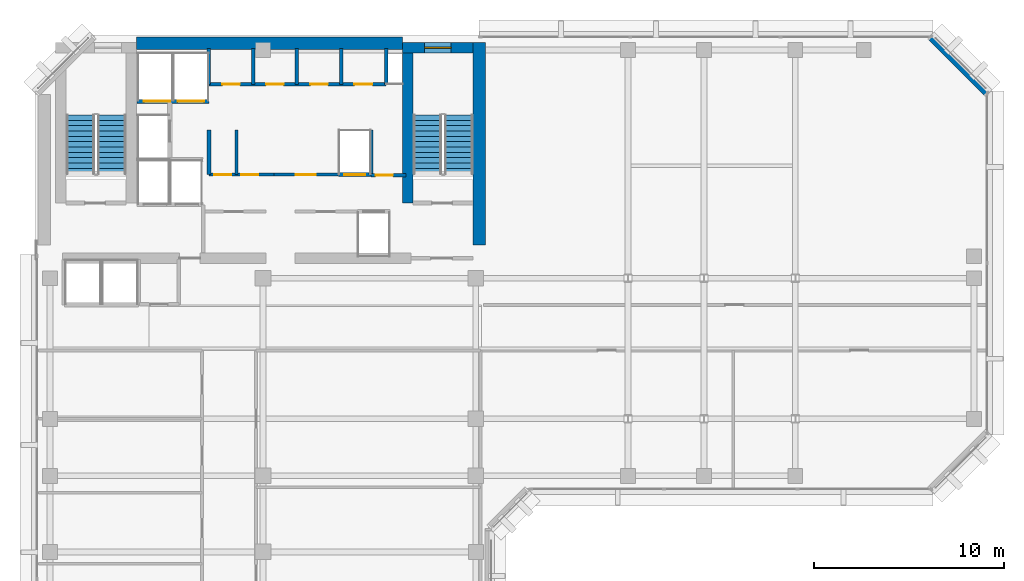
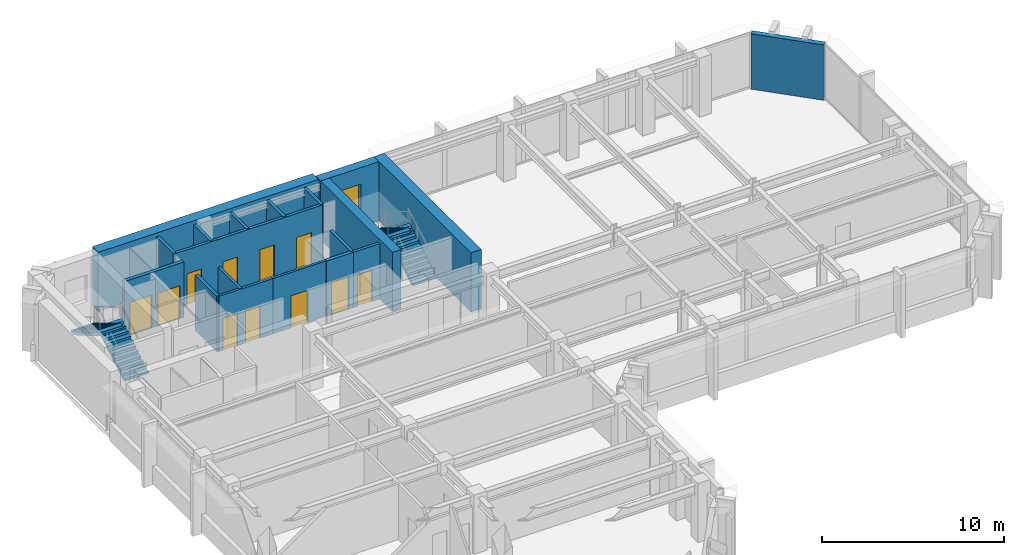
# One storey, part 8 of 12: 19 walls, 11 doors, 4 stair flights, 1 window, 12 openings, 2 elements without a shape of their own.
"""IFC4 building model written with IfcOpenShell, lengths in metres."""

from ifc_helpers import new_model, si_unit, direction, frame, frame_2d, origin, place, context, subcontext, project, spatial, polyline, rectangle, outline, extrude, material, layer, layer_set, type_object, element, fill, aggregate, save


model = new_model("IFC4")

# Units and contexts
model_context = context("Model", 3, precision=1e-05, world=origin(), true_north=direction((0.0, 1.0)))
body_context = subcontext(model_context, "Body", "Model", "MODEL_VIEW")
ifc_project = project(units=[si_unit("LENGTHUNIT", "METRE"), si_unit("AREAUNIT", "SQUARE_METRE"), si_unit("VOLUMEUNIT", "CUBIC_METRE"), si_unit("PLANEANGLEUNIT", "RADIAN"), si_unit("MASSUNIT", "GRAM", prefix="KILO")], contexts=[model_context])

# Site, building, storey
site_placement = place(None, origin())
site = spatial("IfcSite", under=ifc_project, at=site_placement, CompositionType="ELEMENT")
building_placement = place(site_placement, origin())
building = spatial("IfcBuilding", under=site, at=building_placement, Name="Kefirva Bronze Tower", CompositionType="ELEMENT")
storey_placement = place(building_placement, frame((0.0, 0.0, 264.330078125)))
storey = spatial("IfcBuildingStorey", under=building, at=storey_placement, Name="L64", CompositionType="ELEMENT", Elevation=264.330078125)

# Wall, opening, door
ifc_material_1 = material(Name="Gypsum acoustic partition")
ifc_layer_1 = layer(ifc_material_1, 0.14990234375, Name="Gypsum acoustic partition")
ifc_layer_set_1 = layer_set([ifc_layer_1], Name="Gypsum acoustic partition")
wall_type_1 = type_object("IfcWallType", Name="Executive Suite Partition 150mm", PredefinedType="PARTITIONING", material=ifc_layer_set_1)
wall_1_placement = place(storey_placement, frame((12.580078125, 38.64990234375, 0.0), z_axis=(0.0, 0.0, 1.0), x_axis=(1.0, 0.0, 0.0)))
wall_1 = element("IfcWall", 1, at=wall_1_placement, inside=storey, type_object=wall_type_1, Name="L64 Partition W-L64-RECMP2", PredefinedType="PARTITIONING", context=body_context, shape_type="SweptSolid", body=[
    extrude(rectangle(XDim=3.3798828125, YDim=0.14990234375, at=frame_2d((1.68994140625, 0.0))), origin(), (0.0, 0.0, 1.0), 3.7099609375),
])
opening_1_placement = place(wall_1_placement, frame((2.199951171875, 0.0, 0.0), z_axis=(0.0, 0.0, 1.0), x_axis=(-1.0, 0.0, 0.0)))
opening_1 = element("IfcOpeningElement", 2, at=opening_1_placement, cuts=wall_1, Name="Opening L64-D-RECMP2", PredefinedType="OPENING", context=body_context, shape_type="SweptSolid", body=[
    extrude(rectangle(XDim=1.050048828125, YDim=2.14990234375, at=frame_2d((0.52490234375, 1.074951171875))), frame((0.0, 0.0849609375, 0.0), z_axis=(0.0, -1.0, 0.0), x_axis=(1.0, 0.0, 0.0)), (0.0, 0.0, 1.0), 0.169921875),
])
ifc_material_2 = material(Name="Acoustic hardwood oak", Category="wood")
door_type_1 = type_object("IfcDoorType", Name="Executive & Boardroom Door 1050x2150", OperationType="NOTDEFINED", PredefinedType="DOOR", material=ifc_material_2)
door_1_placement = place(opening_1_placement, origin())
door_1 = element("IfcDoor", 3, at=door_1_placement, inside=storey, type_object=door_type_1, Name="Door L64-D-RECMP2", OperationType="SINGLE_SWING_RIGHT", OverallHeight=2.14990234375, OverallWidth=1.050048828125, PredefinedType="DOOR", context=body_context, shape_type="SweptSolid", body=[
    extrude(rectangle(XDim=1.050048828125, YDim=2.14990234375, at=frame_2d((0.52490234375, 1.074951171875))), frame((0.0, 0.02490234375, 0.0), z_axis=(0.0, -1.0, 0.0), x_axis=(1.0, 0.0, 0.0)), (0.0, 0.0, 1.0), 0.050048828125),
])
fill(opening_1, door_1)

# Wall, openings, doors
ifc_material_3 = material(Name="Gypsum fireboard shaftwall")
ifc_layer_2 = layer(ifc_material_3, 0.219970703125, Name="Gypsum fireboard shaftwall")
ifc_layer_set_2 = layer_set([ifc_layer_2], Name="Gypsum fireboard shaftwall")
wall_type_2 = type_object("IfcWallType", Name="Fire-Rated Shaft Enclosure Wall 220mm", PredefinedType="PARTITIONING", material=ifc_layer_set_2)
wall_2_placement = place(storey_placement, frame((5.3798828125, 42.5, 0.0), z_axis=(0.0, 0.0, 1.0), x_axis=(1.0, 0.0, 0.0)))
wall_2 = element("IfcWall", 4, at=wall_2_placement, inside=storey, type_object=wall_type_2, Name="L64 Partition W-L64-SVS", PredefinedType="PARTITIONING", context=body_context, shape_type="SweptSolid", body=[
    extrude(rectangle(XDim=3.77001953125, YDim=0.219970703125, at=frame_2d((1.885009765625, 0.0))), origin(), (0.0, 0.0, 1.0), 3.7099609375),
])
opening_2_placement = place(wall_2_placement, frame((1.75, 0.0, 0.0), z_axis=(0.0, 0.0, 1.0), x_axis=(-1.0, 0.0, 0.0)))
opening_2 = element("IfcOpeningElement", 5, at=opening_2_placement, cuts=wall_2, Name="Opening L64-LD-SV1", PredefinedType="OPENING", context=body_context, shape_type="SweptSolid", body=[
    extrude(rectangle(XDim=1.39990234375, YDim=2.199951171875, at=frame_2d((0.699951171875, 1.10009765625))), frame((0.0, 0.1201171875, 0.0), z_axis=(0.0, -1.0, 0.0), x_axis=(1.0, 0.0, 0.0)), (0.0, 0.0, 1.0), 0.239990234375),
])
opening_3_placement = place(wall_2_placement, frame((3.52978515625, 0.0, 0.0), z_axis=(0.0, 0.0, 1.0), x_axis=(-1.0, 0.0, 0.0)))
opening_3 = element("IfcOpeningElement", 6, at=opening_3_placement, cuts=wall_2, Name="Opening L64-LD-SV2", PredefinedType="OPENING", context=body_context, shape_type="SweptSolid", body=[
    extrude(rectangle(XDim=1.39990234375, YDim=2.199951171875, at=frame_2d((0.699951171875, 1.10009765625))), frame((0.0, 0.1201171875, 0.0), z_axis=(0.0, -1.0, 0.0), x_axis=(1.0, 0.0, 0.0)), (0.0, 0.0, 1.0), 0.239990234375),
])
ifc_material_4 = material(Name="Stainless steel 316", Category="steel")
door_type_2 = type_object("IfcDoorType", Name="Goods Lift Bi-Parting Sliding Door 1400x2200", OperationType="SLIDING_TO_LEFT", PredefinedType="DOOR", material=ifc_material_4)
door_2_placement = place(opening_2_placement, origin())
door_2 = element("IfcDoor", 7, at=door_2_placement, inside=storey, type_object=door_type_2, Name="Door L64-LD-SV1", OperationType="SLIDING_TO_LEFT", OverallHeight=2.199951171875, OverallWidth=1.39990234375, PredefinedType="DOOR", context=body_context, shape_type="SweptSolid", body=[
    extrude(rectangle(XDim=1.39990234375, YDim=2.199951171875, at=frame_2d((0.699951171875, 1.10009765625))), frame((0.0, 0.02490234375, 0.0), z_axis=(0.0, -1.0, 0.0), x_axis=(1.0, 0.0, 0.0)), (0.0, 0.0, 1.0), 0.050048828125),
])
fill(opening_2, door_2)
door_3_placement = place(opening_3_placement, origin())
door_3 = element("IfcDoor", 8, at=door_3_placement, inside=storey, type_object=door_type_2, Name="Door L64-LD-SV2", OperationType="SLIDING_TO_LEFT", OverallHeight=2.199951171875, OverallWidth=1.39990234375, PredefinedType="DOOR", context=body_context, shape_type="SweptSolid", body=[
    extrude(rectangle(XDim=1.39990234375, YDim=2.199951171875, at=frame_2d((0.699951171875, 1.10009765625))), frame((0.0, 0.02490234375, 0.0), z_axis=(0.0, -1.0, 0.0), x_axis=(1.0, 0.0, 0.0)), (0.0, 0.0, 1.0), 0.050048828125),
])
fill(opening_3, door_3)

# Walls
for number, where, z_axis, x_axis, name in (
    (9, (9.159912109375, 38.64990234375, 0.0), (0.0, 0.0, 1.0), (0.0, 1.0, 0.0), "L64 Partition W-L64-LP3W"),
    (10, (17.679931640625, 38.64990234375, 0.0), (0.0, 0.0, 1.0), (0.0, 1.0, 0.0), "L64 Partition W-L64-HP2E"),
):
    element("IfcWall", number, at=place(storey_placement, frame(where, z_axis=z_axis, x_axis=x_axis)), inside=storey, type_object=wall_type_2, Name=name, PredefinedType="PARTITIONING", context=body_context, shape_type="SweptSolid", body=[
        extrude(rectangle(XDim=2.35009765625, YDim=0.199951171875, at=frame_2d((1.175048828125, 0.0))), origin(), (0.0, 0.0, 1.0), 3.7099609375),
    ])

# Wall, opening, door
wall_3_placement = place(storey_placement, frame((15.97998046875, 38.64990234375, 0.0), z_axis=(0.0, 0.0, 1.0), x_axis=(1.0, 0.0, 0.0)))
wall_3 = element("IfcWall", 11, at=wall_3_placement, inside=storey, type_object=wall_type_2, Name="L64 Partition W-L64-HPN", PredefinedType="PARTITIONING", context=body_context, shape_type="SweptSolid", body=[
    extrude(rectangle(XDim=1.719970703125, YDim=0.219970703125, at=frame_2d((0.85986328125, 0.0))), origin(), (0.0, 0.0, 1.0), 3.7099609375),
])
opening_4_placement = place(wall_3_placement, frame((0.300048828125, 0.0, 0.0)))
opening_4 = element("IfcOpeningElement", 12, at=opening_4_placement, cuts=wall_3, Name="Opening L64-LD-HP2", PredefinedType="OPENING", context=body_context, shape_type="SweptSolid", body=[
    extrude(rectangle(XDim=1.10009765625, YDim=2.199951171875, at=frame_2d((0.550048828125, 1.10009765625))), frame((0.0, 0.1201171875, 0.0), z_axis=(0.0, -1.0, 0.0), x_axis=(1.0, 0.0, 0.0)), (0.0, 0.0, 1.0), 0.239990234375),
])
door_type_3 = type_object("IfcDoorType", Name="Passenger Lift Sliding Landing Door 1100x2200", OperationType="SLIDING_TO_LEFT", PredefinedType="DOOR", material=ifc_material_4)
door_4_placement = place(opening_4_placement, origin())
door_4 = element("IfcDoor", 13, at=door_4_placement, inside=storey, type_object=door_type_3, Name="Door L64-LD-HP2", OperationType="SLIDING_TO_LEFT", OverallHeight=2.199951171875, OverallWidth=1.10009765625, PredefinedType="DOOR", context=body_context, shape_type="SweptSolid", body=[
    extrude(rectangle(XDim=1.10009765625, YDim=2.199951171875, at=frame_2d((0.550048828125, 1.10009765625))), frame((0.0, 0.02490234375, 0.0), z_axis=(0.0, -1.0, 0.0), x_axis=(1.0, 0.0, 0.0)), (0.0, 0.0, 1.0), 0.050048828125),
])
fill(opening_4, door_4)

ifc_material_5 = material(Name="Gypsum fireboard barrier")
ifc_layer_3 = layer(ifc_material_5, 0.199951171875, Name="Gypsum fireboard barrier")
ifc_layer_set_3 = layer_set([ifc_layer_3], Name="Gypsum fireboard barrier")
wall_type_3 = type_object("IfcWallType", Name="Firefighting Lobby Barrier Wall 200mm", PredefinedType="PARTITIONING", material=ifc_layer_set_3)
wall_4_placement = place(storey_placement, frame((17.679931640625, 38.6201171875, 0.0), z_axis=(0.0, 0.0, 1.0), x_axis=(1.0, 0.0, 0.0)))
wall_4 = element("IfcWall", 14, at=wall_4_placement, inside=storey, type_object=wall_type_3, Name="L64 Partition W-L64-CPASS", PredefinedType="PARTITIONING", context=body_context, shape_type="SweptSolid", body=[
    extrude(rectangle(XDim=1.840087890625, YDim=0.179931640625, at=frame_2d((0.919921875, 0.0))), origin(), (0.0, 0.0, 1.0), 3.7099609375),
])
opening_5_placement = place(wall_4_placement, frame((0.239990234375, 0.0, 0.0)))
opening_5 = element("IfcOpeningElement", 15, at=opening_5_placement, cuts=wall_4, Name="Opening L64-D-CPAS", PredefinedType="OPENING", context=body_context, shape_type="SweptSolid", body=[
    extrude(rectangle(XDim=0.919921875, YDim=2.10009765625, at=frame_2d((0.4599609375, 1.050048828125))), frame((0.0, 0.10009765625, 0.0), z_axis=(0.0, -1.0, 0.0), x_axis=(1.0, 0.0, 0.0)), (0.0, 0.0, 1.0), 0.199951171875),
])
ifc_material_6 = material(Name="Moisture-resistant timber", Category="wood")
door_type_4 = type_object("IfcDoorType", Name="Accessible Sanitary & WC Door 920x2100", OperationType="NOTDEFINED", PredefinedType="DOOR", material=ifc_material_6)
door_5_placement = place(opening_5_placement, origin())
door_5 = element("IfcDoor", 16, at=door_5_placement, inside=storey, type_object=door_type_4, Name="Door L64-D-CPAS", OperationType="SINGLE_SWING_RIGHT", OverallHeight=2.10009765625, OverallWidth=0.919921875, PredefinedType="DOOR", context=body_context, shape_type="SweptSolid", body=[
    extrude(rectangle(XDim=0.919921875, YDim=2.10009765625, at=frame_2d((0.4599609375, 1.050048828125))), frame((0.0, 0.02490234375, 0.0), z_axis=(0.0, -1.0, 0.0), x_axis=(1.0, 0.0, 0.0)), (0.0, 0.0, 1.0), 0.050048828125),
])
fill(opening_5, door_5)

# Wall
ifc_material_7 = material(Name="Precast concrete C40/50", Category="concrete")
ifc_layer_4 = layer(ifc_material_7, 0.320068359375, Name="Precast concrete C40/50")
ifc_layer_set_4 = layer_set([ifc_layer_4], Name="Precast concrete C40/50")
wall_type_4 = type_object("IfcWallType", Name="Precast Insulated Exterior Wall 320mm", PredefinedType="SOLIDWALL", material=ifc_layer_set_4)
wall_5_placement = place(storey_placement, frame((50.048095703125, 42.92578125, 0.0), z_axis=(0.0, 0.0, 1.0), x_axis=(-0.707136318428, 0.707077242712, 0.0)))
element("IfcWall", 17, at=wall_5_placement, inside=storey, type_object=wall_type_4, Name="L64 Exterior Facade Wall 8", PredefinedType="SOLIDWALL", context=body_context, shape_type="SweptSolid", body=[
    extrude(rectangle(XDim=4.132568359375, YDim=0.320068359375, at=frame_2d((2.06640625, 0.0))), origin(), (0.0, 0.0, 1.0), 3.7099609375),
])

# Wall, openings, doors
ifc_layer_5 = layer(ifc_material_1, 0.159912109375, Name="Gypsum acoustic partition")
ifc_layer_set_5 = layer_set([ifc_layer_5], Name="Gypsum acoustic partition")
wall_type_5 = type_object("IfcWallType", Name="Protected Corridor Partition 160mm", PredefinedType="PARTITIONING", material=ifc_layer_set_5)
wall_6_placement = place(storey_placement, frame((9.159912109375, 38.64990234375, 0.0), z_axis=(0.0, 0.0, 1.0), x_axis=(1.0, 0.0, 0.0)))
wall_6 = element("IfcWall", 18, at=wall_6_placement, inside=storey, type_object=wall_type_5, Name="L64 Partition W-L64-RECLP2", PredefinedType="PARTITIONING", context=body_context, shape_type="SweptSolid", body=[
    extrude(rectangle(XDim=3.420166015625, YDim=0.159912109375, at=frame_2d((1.7099609375, 0.0))), origin(), (0.0, 0.0, 1.0), 3.7099609375),
])
opening_6_placement = place(wall_6_placement, frame((1.179931640625, 0.0, 0.0), z_axis=(0.0, 0.0, 1.0), x_axis=(-1.0, 0.0, 0.0)))
opening_6 = element("IfcOpeningElement", 19, at=opening_6_placement, cuts=wall_6, Name="Opening L64-D-RECLP2A", PredefinedType="OPENING", context=body_context, shape_type="SweptSolid", body=[
    extrude(rectangle(XDim=0.89990234375, YDim=2.14990234375, at=frame_2d((0.449951171875, 1.074951171875))), frame((0.0, 0.08984375, 0.0), z_axis=(0.0, -1.0, 0.0), x_axis=(1.0, 0.0, 0.0)), (0.0, 0.0, 1.0), 0.179931640625),
])
opening_7_placement = place(wall_6_placement, frame((2.599853515625, 0.0, 0.0), z_axis=(0.0, 0.0, 1.0), x_axis=(-1.0, 0.0, 0.0)))
opening_7 = element("IfcOpeningElement", 20, at=opening_7_placement, cuts=wall_6, Name="Opening L64-D-RECLP2B", PredefinedType="OPENING", context=body_context, shape_type="SweptSolid", body=[
    extrude(rectangle(XDim=0.89990234375, YDim=2.14990234375, at=frame_2d((0.449951171875, 1.074951171875))), frame((0.0, 0.08984375, 0.0), z_axis=(0.0, -1.0, 0.0), x_axis=(1.0, 0.0, 0.0)), (0.0, 0.0, 1.0), 0.179931640625),
])
ifc_material_8 = material(Name="Painted galvanized steel", Category="steel")
door_type_5 = type_object("IfcDoorType", Name="Core Archive & Server Fire Door 900x2150 FD60S", OperationType="NOTDEFINED", PredefinedType="DOOR", material=ifc_material_8)
door_6_placement = place(opening_6_placement, origin())
door_6 = element("IfcDoor", 21, at=door_6_placement, inside=storey, type_object=door_type_5, Name="Door L64-D-RECLP2A", OperationType="SINGLE_SWING_LEFT", OverallHeight=2.14990234375, OverallWidth=0.89990234375, PredefinedType="DOOR", context=body_context, shape_type="SweptSolid", body=[
    extrude(rectangle(XDim=0.89990234375, YDim=2.14990234375, at=frame_2d((0.449951171875, 1.074951171875))), frame((0.0, 0.02490234375, 0.0), z_axis=(0.0, -1.0, 0.0), x_axis=(1.0, 0.0, 0.0)), (0.0, 0.0, 1.0), 0.050048828125),
])
fill(opening_6, door_6)
door_7_placement = place(opening_7_placement, origin())
door_7 = element("IfcDoor", 22, at=door_7_placement, inside=storey, type_object=door_type_5, Name="Door L64-D-RECLP2B", OperationType="SINGLE_SWING_RIGHT", OverallHeight=2.14990234375, OverallWidth=0.89990234375, PredefinedType="DOOR", context=body_context, shape_type="SweptSolid", body=[
    extrude(rectangle(XDim=0.89990234375, YDim=2.14990234375, at=frame_2d((0.449951171875, 1.074951171875))), frame((0.0, 0.02490234375, 0.0), z_axis=(0.0, -1.0, 0.0), x_axis=(1.0, 0.0, 0.0)), (0.0, 0.0, 1.0), 0.050048828125),
])
fill(opening_7, door_7)

# Wall
wall_7_placement = place(storey_placement, frame((10.60009765625, 38.64990234375, 0.0), z_axis=(0.0, 0.0, 1.0), x_axis=(0.0, 1.0, 0.0)))
element("IfcWall", 23, at=wall_7_placement, inside=storey, type_object=wall_type_5, Name="L64 Partition W-L64-RECLP2D", PredefinedType="PARTITIONING", context=body_context, shape_type="SweptSolid", body=[
    extrude(rectangle(XDim=2.35009765625, YDim=0.159912109375, at=frame_2d((1.175048828125, 0.0))), origin(), (0.0, 0.0, 1.0), 3.7099609375),
])

# Wall, opening, window
ifc_material_9 = material(Name="Concrete C50/60", Category="concrete")
ifc_layer_6 = layer(ifc_material_9, 0.550048828125, Name="Concrete C50/60")
ifc_layer_set_6 = layer_set([ifc_layer_6], Name="Concrete C50/60")
wall_type_6 = type_object("IfcWallType", Name="RC Rear Core Exterior Wall 550mm", PredefinedType="SHEAR", material=ifc_layer_set_6)
wall_8_placement = place(storey_placement, frame((19.35009765625, 45.320068359375, 0.0), z_axis=(0.0, 0.0, 1.0), x_axis=(1.0, 0.0, 0.0)))
wall_8 = element("IfcWall", 24, at=wall_8_placement, inside=storey, type_object=wall_type_6, Name="L64 Stair 2 North Shear Wall", PredefinedType="SHEAR", context=body_context, shape_type="SweptSolid", body=[
    extrude(rectangle(XDim=3.68994140625, YDim=0.550048828125, at=frame_2d((1.844970703125, 0.0))), origin(), (0.0, 0.0, 1.0), 3.9599609375),
])
opening_8_placement = place(wall_8_placement, frame((1.14990234375, 0.0, 1.050048828125)))
opening_8 = element("IfcOpeningElement", 25, at=opening_8_placement, cuts=wall_8, Name="Opening WN-03", PredefinedType="OPENING", context=body_context, shape_type="SweptSolid", body=[
    extrude(rectangle(XDim=1.39990234375, YDim=1.800048828125, at=frame_2d((0.699951171875, 0.89990234375))), frame((0.0, 0.28515625, 0.0), z_axis=(0.0, -1.0, 0.0), x_axis=(1.0, 0.0, 0.0)), (0.0, 0.0, 1.0), 0.570068359375),
])
ifc_material_10 = material(Name="Laminated low-E double glazing", Category="glass")
window_type = type_object("IfcWindowType", Name="Rear-Core Stair Daylight Window 1400x1800", PartitioningType="SINGLE_PANEL", PredefinedType="WINDOW", material=ifc_material_10)
window_placement = place(opening_8_placement, origin())
window = element("IfcWindow", 26, at=window_placement, inside=storey, type_object=window_type, Name="L64 Stair 2 Daylight Window", OverallHeight=1.800048828125, OverallWidth=1.39990234375, PartitioningType="SINGLE_PANEL", PredefinedType="WINDOW", context=body_context, shape_type="SweptSolid", body=[
    extrude(rectangle(XDim=1.39990234375, YDim=1.800048828125, at=frame_2d((0.699951171875, 0.89990234375))), frame((0.0, 0.030029296875, 0.0), z_axis=(0.0, -1.0, 0.0), x_axis=(1.0, 0.0, 0.0)), (0.0, 0.0, 1.0), 0.06005859375),
])
fill(opening_8, window)

# Walls
ifc_layer_7 = layer(ifc_material_9, 0.64990234375, Name="Concrete C50/60")
ifc_layer_set_7 = layer_set([ifc_layer_7], Name="Concrete C50/60")
wall_type_7 = type_object("IfcWallType", Name="RC Rear Core Exterior Wall 650mm", PredefinedType="SHEAR", material=ifc_layer_set_7)
wall_9_placement = place(storey_placement, frame((5.360107421875, 45.550048828125, 0.0), z_axis=(0.0, 0.0, 1.0), x_axis=(1.0, 0.0, 0.0)))
element("IfcWall", 27, at=wall_9_placement, inside=storey, type_object=wall_type_7, Name="L64 Rear Core North Shear Wall", PredefinedType="SHEAR", context=body_context, shape_type="SweptSolid", body=[
    extrude(rectangle(XDim=13.97998046875, YDim=0.64990234375, at=frame_2d((6.989990234375, 0.0))), origin(), (0.0, 0.0, 1.0), 3.9599609375),
])
ifc_layer_8 = layer(ifc_material_9, 0.550048828125, Name="Concrete C50/60")
ifc_layer_set_8 = layer_set([ifc_layer_8], Name="Concrete C50/60")
wall_type_8 = type_object("IfcWallType", Name="RC Rear Core Interior Wall 550mm", PredefinedType="SHEAR", material=ifc_layer_set_8)
wall_10_placement = place(storey_placement, frame((19.6201171875, 37.14990234375, 0.0), z_axis=(0.0, 0.0, 1.0), x_axis=(0.0, 1.0, 0.0)))
element("IfcWall", 28, at=wall_10_placement, inside=storey, type_object=wall_type_8, Name="L64 Stair 2 West Shear Wall", PredefinedType="SHEAR", context=body_context, shape_type="SweptSolid", body=[
    extrude(rectangle(XDim=7.89013671875, YDim=0.550048828125, at=frame_2d((3.945068359375, 0.0))), origin(), (0.0, 0.0, 1.0), 3.9599609375),
])
ifc_layer_9 = layer(ifc_material_9, 0.64990234375, Name="Concrete C50/60")
ifc_layer_set_9 = layer_set([ifc_layer_9], Name="Concrete C50/60")
wall_type_9 = type_object("IfcWallType", Name="RC Rear Core Interior Wall 650mm", PredefinedType="SHEAR", material=ifc_layer_set_9)
wall_11_placement = place(storey_placement, frame((23.375, 34.949951171875, 0.0), z_axis=(0.0, 0.0, 1.0), x_axis=(0.0, 1.0, 0.0)))
element("IfcWall", 29, at=wall_11_placement, inside=storey, type_object=wall_type_9, Name="L64 Rear Core East Shear Wall", PredefinedType="SHEAR", context=body_context, shape_type="SweptSolid", body=[
    extrude(rectangle(XDim=10.64013671875, YDim=0.64990234375, at=frame_2d((5.320068359375, 0.0))), origin(), (0.0, 0.0, 1.0), 3.9599609375),
])

# Wall, openings, doors
ifc_material_11 = material(Name="Moisture-resistant partition")
ifc_layer_10 = layer(ifc_material_11, 0.179931640625, Name="Moisture-resistant partition")
ifc_layer_set_10 = layer_set([ifc_layer_10], Name="Moisture-resistant partition")
wall_type_10 = type_object("IfcWallType", Name="Sanitary Plumbing Chase Wall 180mm", PredefinedType="PLUMBINGWALL", material=ifc_layer_set_10)
wall_12_placement = place(storey_placement, frame((9.14990234375, 43.39990234375, 0.0), z_axis=(0.0, 0.0, 1.0), x_axis=(1.0, 0.0, 0.0)))
wall_12 = element("IfcWall", 30, at=wall_12_placement, inside=storey, type_object=wall_type_10, Name="L64 Partition W-L64-SVCS", PredefinedType="PLUMBINGWALL", context=body_context, shape_type="SweptSolid", body=[
    extrude(rectangle(XDim=9.330078125, YDim=0.179931640625, at=frame_2d((4.6650390625, 0.0))), origin(), (0.0, 0.0, 1.0), 3.7099609375),
])
opening_9_placement = place(wall_12_placement, frame((0.719970703125, 0.0, 0.0)))
opening_9 = element("IfcOpeningElement", 31, at=opening_9_placement, cuts=wall_12, Name="Opening L64-D-CSVC1", PredefinedType="OPENING", context=body_context, shape_type="SweptSolid", body=[
    extrude(rectangle(XDim=0.919921875, YDim=2.10009765625, at=frame_2d((0.4599609375, 1.050048828125))), frame((0.0, 0.10009765625, 0.0), z_axis=(0.0, -1.0, 0.0), x_axis=(1.0, 0.0, 0.0)), (0.0, 0.0, 1.0), 0.199951171875),
])
opening_10_placement = place(wall_12_placement, frame((3.02001953125, 0.0, 0.0)))
opening_10 = element("IfcOpeningElement", 32, at=opening_10_placement, cuts=wall_12, Name="Opening L64-D-CSVC2", PredefinedType="OPENING", context=body_context, shape_type="SweptSolid", body=[
    extrude(rectangle(XDim=0.919921875, YDim=2.10009765625, at=frame_2d((0.4599609375, 1.050048828125))), frame((0.0, 0.10009765625, 0.0), z_axis=(0.0, -1.0, 0.0), x_axis=(1.0, 0.0, 0.0)), (0.0, 0.0, 1.0), 0.199951171875),
])
opening_11_placement = place(wall_12_placement, frame((5.340087890625, 0.0, 0.0)))
opening_11 = element("IfcOpeningElement", 33, at=opening_11_placement, cuts=wall_12, Name="Opening L64-D-CSVC3", PredefinedType="OPENING", context=body_context, shape_type="SweptSolid", body=[
    extrude(rectangle(XDim=0.919921875, YDim=2.10009765625, at=frame_2d((0.4599609375, 1.050048828125))), frame((0.0, 0.10009765625, 0.0), z_axis=(0.0, -1.0, 0.0), x_axis=(1.0, 0.0, 0.0)), (0.0, 0.0, 1.0), 0.199951171875),
])
opening_12_placement = place(wall_12_placement, frame((7.659912109375, 0.0, 0.0)))
opening_12 = element("IfcOpeningElement", 34, at=opening_12_placement, cuts=wall_12, Name="Opening L64-D-CSVC4", PredefinedType="OPENING", context=body_context, shape_type="SweptSolid", body=[
    extrude(rectangle(XDim=0.949951171875, YDim=2.10009765625, at=frame_2d((0.47509765625, 1.050048828125))), frame((0.0, 0.10009765625, 0.0), z_axis=(0.0, -1.0, 0.0), x_axis=(1.0, 0.0, 0.0)), (0.0, 0.0, 1.0), 0.199951171875),
])
door_8_placement = place(opening_9_placement, origin())
door_8 = element("IfcDoor", 35, at=door_8_placement, inside=storey, type_object=door_type_4, Name="Door L64-D-CSVC1", OperationType="SINGLE_SWING_LEFT", OverallHeight=2.10009765625, OverallWidth=0.919921875, PredefinedType="DOOR", context=body_context, shape_type="SweptSolid", body=[
    extrude(rectangle(XDim=0.919921875, YDim=2.10009765625, at=frame_2d((0.4599609375, 1.050048828125))), frame((0.0, 0.02490234375, 0.0), z_axis=(0.0, -1.0, 0.0), x_axis=(1.0, 0.0, 0.0)), (0.0, 0.0, 1.0), 0.050048828125),
])
fill(opening_9, door_8)
door_9_placement = place(opening_10_placement, origin())
door_9 = element("IfcDoor", 36, at=door_9_placement, inside=storey, type_object=door_type_4, Name="Door L64-D-CSVC2", OperationType="SINGLE_SWING_RIGHT", OverallHeight=2.10009765625, OverallWidth=0.919921875, PredefinedType="DOOR", context=body_context, shape_type="SweptSolid", body=[
    extrude(rectangle(XDim=0.919921875, YDim=2.10009765625, at=frame_2d((0.4599609375, 1.050048828125))), frame((0.0, 0.02490234375, 0.0), z_axis=(0.0, -1.0, 0.0), x_axis=(1.0, 0.0, 0.0)), (0.0, 0.0, 1.0), 0.050048828125),
])
fill(opening_10, door_9)
door_10_placement = place(opening_11_placement, origin())
door_10 = element("IfcDoor", 37, at=door_10_placement, inside=storey, type_object=door_type_4, Name="Door L64-D-CSVC3", OperationType="SINGLE_SWING_LEFT", OverallHeight=2.10009765625, OverallWidth=0.919921875, PredefinedType="DOOR", context=body_context, shape_type="SweptSolid", body=[
    extrude(rectangle(XDim=0.919921875, YDim=2.10009765625, at=frame_2d((0.4599609375, 1.050048828125))), frame((0.0, 0.02490234375, 0.0), z_axis=(0.0, -1.0, 0.0), x_axis=(1.0, 0.0, 0.0)), (0.0, 0.0, 1.0), 0.050048828125),
])
fill(opening_11, door_10)
door_type_6 = type_object("IfcDoorType", Name="Riser & Plant Shaft Fire Door 950x2100 FD60S", OperationType="NOTDEFINED", PredefinedType="DOOR", material=ifc_material_8)
door_11_placement = place(opening_12_placement, origin())
door_11 = element("IfcDoor", 38, at=door_11_placement, inside=storey, type_object=door_type_6, Name="Door L64-D-CSVC4", OperationType="SINGLE_SWING_RIGHT", OverallHeight=2.10009765625, OverallWidth=0.949951171875, PredefinedType="DOOR", context=body_context, shape_type="SweptSolid", body=[
    extrude(rectangle(XDim=0.949951171875, YDim=2.10009765625, at=frame_2d((0.47509765625, 1.050048828125))), frame((0.0, 0.02490234375, 0.0), z_axis=(0.0, -1.0, 0.0), x_axis=(1.0, 0.0, 0.0)), (0.0, 0.0, 1.0), 0.050048828125),
])
fill(opening_12, door_11)

# Walls
for number, where, z_axis, x_axis, name in (
    (39, (9.14990234375, 43.39990234375, 0.0), (0.0, 0.0, 1.0), (0.0, 1.0, 0.0), "L64 Partition W-L64-SVCW"),
    (40, (18.47998046875, 43.39990234375, 0.0), (0.0, 0.0, 1.0), (0.0, 1.0, 0.0), "L64 Partition W-L64-SVCE"),
    (41, (11.47998046875, 43.39990234375, 0.0), (0.0, 0.0, 1.0), (0.0, 1.0, 0.0), "L64 Partition W-L64-CSVD-1"),
    (42, (13.780029296875, 43.39990234375, 0.0), (0.0, 0.0, 1.0), (0.0, 1.0, 0.0), "L64 Partition W-L64-CSVD-2"),
    (43, (16.1201171875, 43.39990234375, 0.0), (0.0, 0.0, 1.0), (0.0, 1.0, 0.0), "L64 Partition W-L64-CSVD-3"),
):
    element("IfcWall", number, at=place(storey_placement, frame(where, z_axis=z_axis, x_axis=x_axis)), inside=storey, type_object=wall_type_10, Name=name, PredefinedType="PLUMBINGWALL", context=body_context, shape_type="SweptSolid", body=[
        extrude(rectangle(XDim=1.880126953125, YDim=0.179931640625, at=frame_2d((0.93994140625, 0.0))), origin(), (0.0, 0.0, 1.0), 3.7099609375),
    ])

# Stair, stair flights
ifc_material_12 = material(Name="Concrete C40/50", Category="concrete")
stair_type = type_object("IfcStairType", Name="RC Dogleg Protected Stair 24R", PredefinedType="HALF_TURN_STAIR", material=ifc_material_12)
stair_1_placement = place(storey_placement, origin())
stair_1 = element("IfcStair", 44, at=stair_1_placement, inside=storey, type_object=stair_type, Name="L64 Protected Exit Stair 1", PredefinedType="HALF_TURN_STAIR")
stair_flight_type = type_object("IfcStairFlightType", Name="RC Straight Stair Flight 24R", PredefinedType="STRAIGHT", material=ifc_material_12)
stair_flight_1_placement = place(storey_placement, frame((4.050048828125, 38.699951171875, 0.0), z_axis=(0.0, 0.0, 1.0), x_axis=(0.0, 1.0, 0.0)))
stair_flight_1 = element("IfcStairFlight", 45, at=stair_flight_1_placement, type_object=stair_flight_type, Name="ST-1 flight 1", NumberOfRisers=12, NumberOfTreads=11, PredefinedType="STRAIGHT", RiserHeight=0.165, TreadLength=0.28, context=body_context, shape_type="SweptSolid", body=[
    extrude(outline(polyline([(0.0, 0.0), (0.0, 0.1650390625), (0.280029296875, 0.1650390625), (0.280029296875, 0.330078125), (0.56005859375, 0.330078125), (0.56005859375, 0.4951171875), (0.840087890625, 0.4951171875), (0.840087890625, 0.659912109375), (1.1201171875, 0.659912109375), (1.1201171875, 0.824951171875), (1.39990234375, 0.824951171875), (1.39990234375, 0.989990234375), (1.679931640625, 0.989990234375), (1.679931640625, 1.155029296875), (1.9599609375, 1.155029296875), (1.9599609375, 1.320068359375), (2.239990234375, 1.320068359375), (2.239990234375, 1.485107421875), (2.52001953125, 1.485107421875), (2.52001953125, 1.64990234375), (2.800048828125, 1.64990234375), (2.800048828125, 1.81494140625), (3.080078125, 1.81494140625), (3.080078125, 1.97998046875), (3.080078125, 1.64111328125), (0.295166015625, 0.0), (0.0, 0.0)])), frame((0.0, 0.75, 0.0), z_axis=(0.0, -1.0, 0.0), x_axis=(1.0, 0.0, 0.0)), (0.0, 0.0, 1.0), 1.5),
])
stair_flight_2_placement = place(storey_placement, frame((2.39990234375, 41.780029296875, 1.97998046875), z_axis=(0.0, 0.0, 1.0), x_axis=(0.0, -1.0, 0.0)))
stair_flight_2 = element("IfcStairFlight", 46, at=stair_flight_2_placement, type_object=stair_flight_type, Name="ST-1 flight 2", NumberOfRisers=12, NumberOfTreads=11, PredefinedType="STRAIGHT", RiserHeight=0.165, TreadLength=0.28, context=body_context, shape_type="SweptSolid", body=[
    extrude(outline(polyline([(0.0, 0.0), (0.0, 0.1650390625), (0.280029296875, 0.1650390625), (0.280029296875, 0.330078125), (0.56005859375, 0.330078125), (0.56005859375, 0.4951171875), (0.840087890625, 0.4951171875), (0.840087890625, 0.659912109375), (1.1201171875, 0.659912109375), (1.1201171875, 0.824951171875), (1.39990234375, 0.824951171875), (1.39990234375, 0.989990234375), (1.679931640625, 0.989990234375), (1.679931640625, 1.155029296875), (1.9599609375, 1.155029296875), (1.9599609375, 1.320068359375), (2.239990234375, 1.320068359375), (2.239990234375, 1.485107421875), (2.52001953125, 1.485107421875), (2.52001953125, 1.64990234375), (2.800048828125, 1.64990234375), (2.800048828125, 1.81494140625), (3.080078125, 1.81494140625), (3.080078125, 1.97998046875), (3.080078125, 1.64111328125), (0.295166015625, 0.0), (0.0, 0.0)])), frame((0.0, 0.75, 0.0), z_axis=(0.0, -1.0, 0.0), x_axis=(1.0, 0.0, 0.0)), (0.0, 0.0, 1.0), 1.5),
])
aggregate(stair_1, [stair_flight_1, stair_flight_2])

stair_2_placement = place(storey_placement, origin())
stair_2 = element("IfcStair", 47, at=stair_2_placement, inside=storey, type_object=stair_type, Name="L64 Protected Exit Stair 2", PredefinedType="HALF_TURN_STAIR")
stair_flight_3_placement = place(storey_placement, frame((22.300048828125, 38.699951171875, 0.0), z_axis=(0.0, 0.0, 1.0), x_axis=(0.0, 1.0, 0.0)))
stair_flight_3 = element("IfcStairFlight", 48, at=stair_flight_3_placement, type_object=stair_flight_type, Name="ST-2 flight 1", NumberOfRisers=12, NumberOfTreads=11, PredefinedType="STRAIGHT", RiserHeight=0.165, TreadLength=0.28, context=body_context, shape_type="SweptSolid", body=[
    extrude(outline(polyline([(0.0, 0.0), (0.0, 0.1650390625), (0.280029296875, 0.1650390625), (0.280029296875, 0.330078125), (0.56005859375, 0.330078125), (0.56005859375, 0.4951171875), (0.840087890625, 0.4951171875), (0.840087890625, 0.659912109375), (1.1201171875, 0.659912109375), (1.1201171875, 0.824951171875), (1.39990234375, 0.824951171875), (1.39990234375, 0.989990234375), (1.679931640625, 0.989990234375), (1.679931640625, 1.155029296875), (1.9599609375, 1.155029296875), (1.9599609375, 1.320068359375), (2.239990234375, 1.320068359375), (2.239990234375, 1.485107421875), (2.52001953125, 1.485107421875), (2.52001953125, 1.64990234375), (2.800048828125, 1.64990234375), (2.800048828125, 1.81494140625), (3.080078125, 1.81494140625), (3.080078125, 1.97998046875), (3.080078125, 1.64111328125), (0.295166015625, 0.0), (0.0, 0.0)])), frame((0.0, 0.75, 0.0), z_axis=(0.0, -1.0, 0.0), x_axis=(1.0, 0.0, 0.0)), (0.0, 0.0, 1.0), 1.5),
])
stair_flight_4_placement = place(storey_placement, frame((20.64990234375, 41.780029296875, 1.97998046875), z_axis=(0.0, 0.0, 1.0), x_axis=(0.0, -1.0, 0.0)))
stair_flight_4 = element("IfcStairFlight", 49, at=stair_flight_4_placement, type_object=stair_flight_type, Name="ST-2 flight 2", NumberOfRisers=12, NumberOfTreads=11, PredefinedType="STRAIGHT", RiserHeight=0.165, TreadLength=0.28, context=body_context, shape_type="SweptSolid", body=[
    extrude(outline(polyline([(0.0, 0.0), (0.0, 0.1650390625), (0.280029296875, 0.1650390625), (0.280029296875, 0.330078125), (0.56005859375, 0.330078125), (0.56005859375, 0.4951171875), (0.840087890625, 0.4951171875), (0.840087890625, 0.659912109375), (1.1201171875, 0.659912109375), (1.1201171875, 0.824951171875), (1.39990234375, 0.824951171875), (1.39990234375, 0.989990234375), (1.679931640625, 0.989990234375), (1.679931640625, 1.155029296875), (1.9599609375, 1.155029296875), (1.9599609375, 1.320068359375), (2.239990234375, 1.320068359375), (2.239990234375, 1.485107421875), (2.52001953125, 1.485107421875), (2.52001953125, 1.64990234375), (2.800048828125, 1.64990234375), (2.800048828125, 1.81494140625), (3.080078125, 1.81494140625), (3.080078125, 1.97998046875), (3.080078125, 1.64111328125), (0.295166015625, 0.0), (0.0, 0.0)])), frame((0.0, 0.75, 0.0), z_axis=(0.0, -1.0, 0.0), x_axis=(1.0, 0.0, 0.0)), (0.0, 0.0, 1.0), 1.5),
])
aggregate(stair_2, [stair_flight_3, stair_flight_4])

save(model, "model.ifc")
